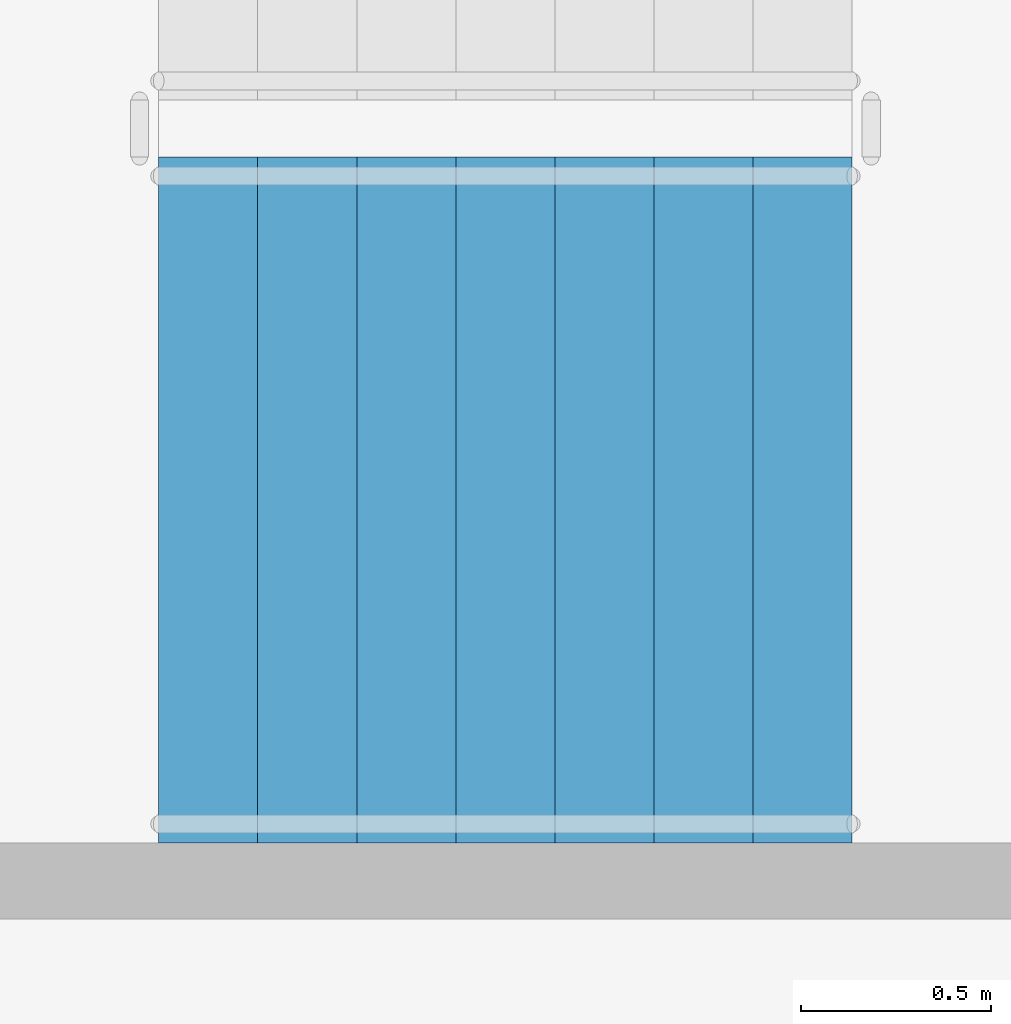
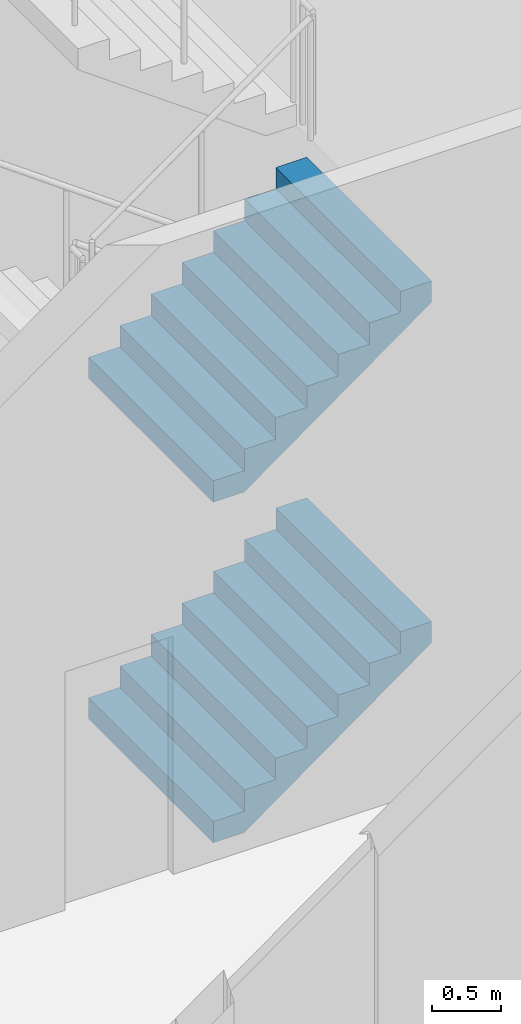
# One storey, part 40 of 75: 2 stair flights, 1 element without a shape of its own.
"""IFC4 building model written with IfcOpenShell, lengths in metres."""

from ifc_helpers import new_model, si_unit, direction, frame, origin, place, context, subcontext, project, spatial, faceted_brep, material, type_object, element, aggregate, save


model = new_model("IFC4")

# Units and contexts
model_context = context("Model", 3, precision=1e-05, world=origin(), true_north=direction((0.0, 1.0)))
body_context = subcontext(model_context, "Body", "Model", "MODEL_VIEW")
ifc_project = project(units=[si_unit("LENGTHUNIT", "METRE"), si_unit("AREAUNIT", "SQUARE_METRE"), si_unit("VOLUMEUNIT", "CUBIC_METRE"), si_unit("PLANEANGLEUNIT", "RADIAN"), si_unit("MASSUNIT", "GRAM", prefix="KILO")], contexts=[model_context])

# Site, building, storey
site_placement = place(None, origin())
site = spatial("IfcSite", under=ifc_project, at=site_placement, CompositionType="ELEMENT")
building_placement = place(site_placement, origin())
building = spatial("IfcBuilding", under=site, at=building_placement, Name="Ipe Terrace Towers", CompositionType="ELEMENT")
storey_placement = place(building_placement, origin())
storey = spatial("IfcBuildingStorey", under=building, at=storey_placement, Name="L00", CompositionType="ELEMENT", Elevation=0.0)

# Stair, stair flights
ifc_material_1 = material(Name="Concrete C30/37", Category="concrete")
stair_type = type_object("IfcStairType", Name="Protected exit stair", PredefinedType="HALF_TURN_STAIR", material=ifc_material_1)
stair_placement = place(storey_placement, origin())
stair = element("IfcStair", 1, at=stair_placement, inside=storey, type_object=stair_type, Name="L00 Podium exit stair PS4", PredefinedType="HALF_TURN_STAIR")
ifc_material_2 = material(Name="Concrete C30/37", Category="concrete")
stair_flight_type = type_object("IfcStairFlightType", Name="Exit stair flight 1800", PredefinedType="STRAIGHT", material=ifc_material_2)
stair_flight_1_placement = place(storey_placement, frame((-57.27001953125, -22.5, 0.0), z_axis=(0.0, 0.0, 1.0), x_axis=(1.0, 0.0, 0.0)))
stair_flight_1 = element("IfcStairFlight", 2, at=stair_flight_1_placement, type_object=stair_flight_type, Name="PS4 flight 1", NumberOfRisers=8, NumberOfTreads=7, PredefinedType="STRAIGHT", RiserHeight=0.1875, TreadLength=0.26, context=body_context, shape_type="Brep", body=[
    faceted_brep([(0.25634765625, -0.89990234375, 0.0), (1.820068359375, -0.89990234375, 1.127685546875), (1.820068359375, -0.89990234375, 1.3125), (1.56005859375, -0.89990234375, 1.3125), (1.56005859375, -0.89990234375, 1.125), (1.300048828125, -0.89990234375, 1.125), (1.300048828125, -0.89990234375, 0.9375), (1.0400390625, -0.89990234375, 0.9375), (1.0400390625, -0.89990234375, 0.75), (0.780029296875, -0.89990234375, 0.75), (0.780029296875, -0.89990234375, 0.5625), (0.52001953125, -0.89990234375, 0.5625), (0.52001953125, -0.89990234375, 0.375), (0.260009765625, -0.89990234375, 0.375), (0.260009765625, -0.89990234375, 0.1875), (0.0, -0.89990234375, 0.1875), (0.0, -0.89990234375, 0.0), (0.0, 0.89990234375, 0.0), (0.0, 0.89990234375, 0.1875), (0.260009765625, 0.89990234375, 0.1875), (0.260009765625, 0.89990234375, 0.375), (0.52001953125, 0.89990234375, 0.375), (0.52001953125, 0.89990234375, 0.5625), (0.780029296875, 0.89990234375, 0.5625), (0.780029296875, 0.89990234375, 0.75), (1.0400390625, 0.89990234375, 0.75), (1.0400390625, 0.89990234375, 0.9375), (1.300048828125, 0.89990234375, 0.9375), (1.300048828125, 0.89990234375, 1.125), (1.56005859375, 0.89990234375, 1.125), (1.56005859375, 0.89990234375, 1.3125), (1.820068359375, 0.89990234375, 1.3125), (1.820068359375, 0.89990234375, 1.127685546875), (0.25634765625, 0.89990234375, 0.0), (0.0, -0.300048828125, 0.1875), (0.0, -0.1201171875, 0.1875), (0.0, -0.06005859375, 0.1875), (0.0, -0.030029296875, 0.1875), (0.0, -0.010009765625, 0.1875), (0.0, 0.0, 0.1875), (0.0, 0.010009765625, 0.1875), (0.0, 0.030029296875, 0.1875), (0.0, 0.06005859375, 0.1875), (0.0, 0.1201171875, 0.1875), (0.0, 0.300048828125, 0.1875), (0.0, 0.300048828125, 0.0), (0.0, 0.1201171875, 0.0), (0.0, 0.06005859375, 0.0), (0.0, 0.030029296875, 0.0), (0.0, 0.010009765625, 0.0), (0.0, 0.0, 0.0), (0.0, -0.010009765625, 0.0), (0.0, -0.030029296875, 0.0), (0.0, -0.06005859375, 0.0), (0.0, -0.1201171875, 0.0), (0.0, -0.300048828125, 0.0), (0.260009765625, -0.300048828125, 0.1875), (0.260009765625, -0.1201171875, 0.1875), (0.260009765625, -0.06005859375, 0.1875), (0.260009765625, -0.030029296875, 0.1875), (0.260009765625, -0.010009765625, 0.1875), (0.260009765625, 0.0, 0.1875), (0.260009765625, 0.010009765625, 0.1875), (0.260009765625, 0.030029296875, 0.1875), (0.260009765625, 0.06005859375, 0.1875), (0.260009765625, 0.1201171875, 0.1875), (0.260009765625, 0.300048828125, 0.1875), (0.260009765625, -0.300048828125, 0.375), (0.260009765625, -0.1201171875, 0.375), (0.260009765625, -0.06005859375, 0.375), (0.260009765625, -0.030029296875, 0.375), (0.260009765625, -0.010009765625, 0.375), (0.260009765625, 0.0, 0.375), (0.260009765625, 0.010009765625, 0.375), (0.260009765625, 0.030029296875, 0.375), (0.260009765625, 0.06005859375, 0.375), (0.260009765625, 0.1201171875, 0.375), (0.260009765625, 0.300048828125, 0.375), (0.52001953125, -0.300048828125, 0.375), (0.52001953125, -0.1201171875, 0.375), (0.52001953125, -0.06005859375, 0.375), (0.52001953125, -0.030029296875, 0.375), (0.52001953125, -0.010009765625, 0.375), (0.52001953125, 0.0, 0.375), (0.52001953125, 0.010009765625, 0.375), (0.52001953125, 0.030029296875, 0.375), (0.52001953125, 0.06005859375, 0.375), (0.52001953125, 0.1201171875, 0.375), (0.52001953125, 0.300048828125, 0.375), (0.52001953125, -0.300048828125, 0.5625), (0.52001953125, -0.1201171875, 0.5625), (0.52001953125, -0.06005859375, 0.5625), (0.52001953125, -0.030029296875, 0.5625), (0.52001953125, -0.010009765625, 0.5625), (0.52001953125, 0.0, 0.5625), (0.52001953125, 0.010009765625, 0.5625), (0.52001953125, 0.030029296875, 0.5625), (0.52001953125, 0.06005859375, 0.5625), (0.52001953125, 0.1201171875, 0.5625), (0.52001953125, 0.300048828125, 0.5625), (0.780029296875, -0.300048828125, 0.5625), (0.780029296875, -0.1201171875, 0.5625), (0.780029296875, -0.06005859375, 0.5625), (0.780029296875, -0.030029296875, 0.5625), (0.780029296875, -0.010009765625, 0.5625), (0.780029296875, 0.0, 0.5625), (0.780029296875, 0.010009765625, 0.5625), (0.780029296875, 0.030029296875, 0.5625), (0.780029296875, 0.06005859375, 0.5625), (0.780029296875, 0.1201171875, 0.5625), (0.780029296875, 0.300048828125, 0.5625), (0.780029296875, -0.300048828125, 0.75), (0.780029296875, -0.1201171875, 0.75), (0.780029296875, -0.06005859375, 0.75), (0.780029296875, -0.030029296875, 0.75), (0.780029296875, -0.010009765625, 0.75), (0.780029296875, 0.0, 0.75), (0.780029296875, 0.010009765625, 0.75), (0.780029296875, 0.030029296875, 0.75), (0.780029296875, 0.06005859375, 0.75), (0.780029296875, 0.1201171875, 0.75), (0.780029296875, 0.300048828125, 0.75), (1.0400390625, -0.300048828125, 0.75), (1.0400390625, -0.1201171875, 0.75), (1.0400390625, -0.06005859375, 0.75), (1.0400390625, -0.030029296875, 0.75), (1.0400390625, -0.010009765625, 0.75), (1.0400390625, 0.0, 0.75), (1.0400390625, 0.010009765625, 0.75), (1.0400390625, 0.030029296875, 0.75), (1.0400390625, 0.06005859375, 0.75), (1.0400390625, 0.1201171875, 0.75), (1.0400390625, 0.300048828125, 0.75), (1.0400390625, -0.300048828125, 0.9375), (1.0400390625, -0.1201171875, 0.9375), (1.0400390625, -0.06005859375, 0.9375), (1.0400390625, -0.030029296875, 0.9375), (1.0400390625, -0.010009765625, 0.9375), (1.0400390625, 0.0, 0.9375), (1.0400390625, 0.010009765625, 0.9375), (1.0400390625, 0.030029296875, 0.9375), (1.0400390625, 0.06005859375, 0.9375), (1.0400390625, 0.1201171875, 0.9375), (1.0400390625, 0.300048828125, 0.9375), (1.300048828125, -0.300048828125, 0.9375), (1.300048828125, -0.1201171875, 0.9375), (1.300048828125, -0.06005859375, 0.9375), (1.300048828125, -0.030029296875, 0.9375), (1.300048828125, -0.010009765625, 0.9375), (1.300048828125, 0.0, 0.9375), (1.300048828125, 0.010009765625, 0.9375), (1.300048828125, 0.030029296875, 0.9375), (1.300048828125, 0.06005859375, 0.9375), (1.300048828125, 0.1201171875, 0.9375), (1.300048828125, 0.300048828125, 0.9375), (1.300048828125, -0.300048828125, 1.125), (1.300048828125, -0.1201171875, 1.125), (1.300048828125, -0.06005859375, 1.125), (1.300048828125, -0.030029296875, 1.125), (1.300048828125, -0.010009765625, 1.125), (1.300048828125, 0.0, 1.125), (1.300048828125, 0.010009765625, 1.125), (1.300048828125, 0.030029296875, 1.125), (1.300048828125, 0.06005859375, 1.125), (1.300048828125, 0.1201171875, 1.125), (1.300048828125, 0.300048828125, 1.125), (1.56005859375, -0.300048828125, 1.125), (1.56005859375, -0.1201171875, 1.125), (1.56005859375, -0.06005859375, 1.125), (1.56005859375, -0.030029296875, 1.125), (1.56005859375, -0.010009765625, 1.125), (1.56005859375, 0.0, 1.125), (1.56005859375, 0.010009765625, 1.125), (1.56005859375, 0.030029296875, 1.125), (1.56005859375, 0.06005859375, 1.125), (1.56005859375, 0.1201171875, 1.125), (1.56005859375, 0.300048828125, 1.125), (1.56005859375, -0.300048828125, 1.3125), (1.56005859375, -0.1201171875, 1.3125), (1.56005859375, -0.06005859375, 1.3125), (1.56005859375, -0.030029296875, 1.3125), (1.56005859375, -0.010009765625, 1.3125), (1.56005859375, 0.0, 1.3125), (1.56005859375, 0.010009765625, 1.3125), (1.56005859375, 0.030029296875, 1.3125), (1.56005859375, 0.06005859375, 1.3125), (1.56005859375, 0.1201171875, 1.3125), (1.56005859375, 0.300048828125, 1.3125), (1.820068359375, -0.300048828125, 1.3125), (1.820068359375, -0.1201171875, 1.3125), (1.820068359375, -0.06005859375, 1.3125), (1.820068359375, -0.030029296875, 1.3125), (1.820068359375, -0.010009765625, 1.3125), (1.820068359375, 0.0, 1.3125), (1.820068359375, 0.010009765625, 1.3125), (1.820068359375, 0.030029296875, 1.3125), (1.820068359375, 0.06005859375, 1.3125), (1.820068359375, 0.1201171875, 1.3125), (1.820068359375, 0.300048828125, 1.3125), (1.820068359375, -0.300048828125, 1.127685546875), (1.820068359375, -0.1201171875, 1.127685546875), (1.820068359375, -0.06005859375, 1.127685546875), (1.820068359375, -0.030029296875, 1.127685546875), (1.820068359375, -0.010009765625, 1.127685546875), (1.820068359375, 0.0, 1.127685546875), (1.820068359375, 0.010009765625, 1.127685546875), (1.820068359375, 0.030029296875, 1.127685546875), (1.820068359375, 0.06005859375, 1.127685546875), (1.820068359375, 0.1201171875, 1.127685546875), (1.820068359375, 0.300048828125, 1.127685546875), (0.25634765625, -0.300048828125, 0.0), (0.25634765625, -0.1201171875, 0.0), (0.25634765625, -0.06005859375, 0.0), (0.25634765625, -0.030029296875, 0.0), (0.25634765625, -0.010009765625, 0.0), (0.25634765625, 0.0, 0.0), (0.25634765625, 0.010009765625, 0.0), (0.25634765625, 0.030029296875, 0.0), (0.25634765625, 0.06005859375, 0.0), (0.25634765625, 0.1201171875, 0.0), (0.25634765625, 0.300048828125, 0.0)], [[[0, 1, 2, 3, 4, 5, 6, 7, 8, 9, 10, 11, 12, 13, 14, 15, 16]], [[17, 18, 19, 20, 21, 22, 23, 24, 25, 26, 27, 28, 29, 30, 31, 32, 33]], [[15, 34, 35, 36, 37, 38, 39, 40, 41, 42, 43, 44, 18, 17, 45, 46, 47, 48, 49, 50, 51, 52, 53, 54, 55, 16]], [[14, 56, 57, 58, 59, 60, 61, 62, 63, 64, 65, 66, 19, 18, 44, 43, 42, 41, 40, 39, 38, 37, 36, 35, 34, 15]], [[13, 67, 68, 69, 70, 71, 72, 73, 74, 75, 76, 77, 20, 19, 66, 65, 64, 63, 62, 61, 60, 59, 58, 57, 56, 14]], [[12, 78, 79, 80, 81, 82, 83, 84, 85, 86, 87, 88, 21, 20, 77, 76, 75, 74, 73, 72, 71, 70, 69, 68, 67, 13]], [[11, 89, 90, 91, 92, 93, 94, 95, 96, 97, 98, 99, 22, 21, 88, 87, 86, 85, 84, 83, 82, 81, 80, 79, 78, 12]], [[10, 100, 101, 102, 103, 104, 105, 106, 107, 108, 109, 110, 23, 22, 99, 98, 97, 96, 95, 94, 93, 92, 91, 90, 89, 11]], [[9, 111, 112, 113, 114, 115, 116, 117, 118, 119, 120, 121, 24, 23, 110, 109, 108, 107, 106, 105, 104, 103, 102, 101, 100, 10]], [[8, 122, 123, 124, 125, 126, 127, 128, 129, 130, 131, 132, 25, 24, 121, 120, 119, 118, 117, 116, 115, 114, 113, 112, 111, 9]], [[7, 133, 134, 135, 136, 137, 138, 139, 140, 141, 142, 143, 26, 25, 132, 131, 130, 129, 128, 127, 126, 125, 124, 123, 122, 8]], [[6, 144, 145, 146, 147, 148, 149, 150, 151, 152, 153, 154, 27, 26, 143, 142, 141, 140, 139, 138, 137, 136, 135, 134, 133, 7]], [[5, 155, 156, 157, 158, 159, 160, 161, 162, 163, 164, 165, 28, 27, 154, 153, 152, 151, 150, 149, 148, 147, 146, 145, 144, 6]], [[4, 166, 167, 168, 169, 170, 171, 172, 173, 174, 175, 176, 29, 28, 165, 164, 163, 162, 161, 160, 159, 158, 157, 156, 155, 5]], [[3, 177, 178, 179, 180, 181, 182, 183, 184, 185, 186, 187, 30, 29, 176, 175, 174, 173, 172, 171, 170, 169, 168, 167, 166, 4]], [[2, 188, 189, 190, 191, 192, 193, 194, 195, 196, 197, 198, 31, 30, 187, 186, 185, 184, 183, 182, 181, 180, 179, 178, 177, 3]], [[1, 199, 200, 201, 202, 203, 204, 205, 206, 207, 208, 209, 32, 31, 198, 197, 196, 195, 194, 193, 192, 191, 190, 189, 188, 2]], [[0, 210, 211, 212, 213, 214, 215, 216, 217, 218, 219, 220, 33, 32, 209, 208, 207, 206, 205, 204, 203, 202, 201, 200, 199, 1]], [[16, 55, 54, 53, 52, 51, 50, 49, 48, 47, 46, 45, 17, 33, 220, 219, 218, 217, 216, 215, 214, 213, 212, 211, 210, 0]]]),
])
stair_flight_2_placement = place(storey_placement, frame((-57.27001953125, -22.5, 3.0), z_axis=(0.0, 0.0, 1.0), x_axis=(1.0, 0.0, 0.0)))
stair_flight_2 = element("IfcStairFlight", 3, at=stair_flight_2_placement, type_object=stair_flight_type, Name="PS4 flight 3", NumberOfRisers=8, NumberOfTreads=7, PredefinedType="STRAIGHT", RiserHeight=0.1875, TreadLength=0.26, context=body_context, shape_type="Brep", body=[
    faceted_brep([(0.25634765625, -0.89990234375, 0.0), (1.820068359375, -0.89990234375, 1.127685546875), (1.820068359375, -0.89990234375, 1.3125), (1.56005859375, -0.89990234375, 1.3125), (1.56005859375, -0.89990234375, 1.125), (1.300048828125, -0.89990234375, 1.125), (1.300048828125, -0.89990234375, 0.9375), (1.0400390625, -0.89990234375, 0.9375), (1.0400390625, -0.89990234375, 0.75), (0.780029296875, -0.89990234375, 0.75), (0.780029296875, -0.89990234375, 0.5625), (0.52001953125, -0.89990234375, 0.5625), (0.52001953125, -0.89990234375, 0.375), (0.260009765625, -0.89990234375, 0.375), (0.260009765625, -0.89990234375, 0.1875), (0.0, -0.89990234375, 0.1875), (0.0, -0.89990234375, 0.0), (0.0, 0.89990234375, 0.0), (0.0, 0.89990234375, 0.1875), (0.260009765625, 0.89990234375, 0.1875), (0.260009765625, 0.89990234375, 0.375), (0.52001953125, 0.89990234375, 0.375), (0.52001953125, 0.89990234375, 0.5625), (0.780029296875, 0.89990234375, 0.5625), (0.780029296875, 0.89990234375, 0.75), (1.0400390625, 0.89990234375, 0.75), (1.0400390625, 0.89990234375, 0.9375), (1.300048828125, 0.89990234375, 0.9375), (1.300048828125, 0.89990234375, 1.125), (1.56005859375, 0.89990234375, 1.125), (1.56005859375, 0.89990234375, 1.3125), (1.820068359375, 0.89990234375, 1.3125), (1.820068359375, 0.89990234375, 1.127685546875), (0.25634765625, 0.89990234375, 0.0), (0.0, -0.300048828125, 0.1875), (0.0, -0.1201171875, 0.1875), (0.0, -0.06005859375, 0.1875), (0.0, -0.030029296875, 0.1875), (0.0, -0.010009765625, 0.1875), (0.0, 0.0, 0.1875), (0.0, 0.010009765625, 0.1875), (0.0, 0.030029296875, 0.1875), (0.0, 0.06005859375, 0.1875), (0.0, 0.1201171875, 0.1875), (0.0, 0.300048828125, 0.1875), (0.0, 0.300048828125, 0.0), (0.0, 0.1201171875, 0.0), (0.0, 0.06005859375, 0.0), (0.0, 0.030029296875, 0.0), (0.0, 0.010009765625, 0.0), (0.0, 0.0, 0.0), (0.0, -0.010009765625, 0.0), (0.0, -0.030029296875, 0.0), (0.0, -0.06005859375, 0.0), (0.0, -0.1201171875, 0.0), (0.0, -0.300048828125, 0.0), (0.260009765625, -0.300048828125, 0.1875), (0.260009765625, -0.1201171875, 0.1875), (0.260009765625, -0.06005859375, 0.1875), (0.260009765625, -0.030029296875, 0.1875), (0.260009765625, -0.010009765625, 0.1875), (0.260009765625, 0.0, 0.1875), (0.260009765625, 0.010009765625, 0.1875), (0.260009765625, 0.030029296875, 0.1875), (0.260009765625, 0.06005859375, 0.1875), (0.260009765625, 0.1201171875, 0.1875), (0.260009765625, 0.300048828125, 0.1875), (0.260009765625, -0.300048828125, 0.375), (0.260009765625, -0.1201171875, 0.375), (0.260009765625, -0.06005859375, 0.375), (0.260009765625, -0.030029296875, 0.375), (0.260009765625, -0.010009765625, 0.375), (0.260009765625, 0.0, 0.375), (0.260009765625, 0.010009765625, 0.375), (0.260009765625, 0.030029296875, 0.375), (0.260009765625, 0.06005859375, 0.375), (0.260009765625, 0.1201171875, 0.375), (0.260009765625, 0.300048828125, 0.375), (0.52001953125, -0.300048828125, 0.375), (0.52001953125, -0.1201171875, 0.375), (0.52001953125, -0.06005859375, 0.375), (0.52001953125, -0.030029296875, 0.375), (0.52001953125, -0.010009765625, 0.375), (0.52001953125, 0.0, 0.375), (0.52001953125, 0.010009765625, 0.375), (0.52001953125, 0.030029296875, 0.375), (0.52001953125, 0.06005859375, 0.375), (0.52001953125, 0.1201171875, 0.375), (0.52001953125, 0.300048828125, 0.375), (0.52001953125, -0.300048828125, 0.5625), (0.52001953125, -0.1201171875, 0.5625), (0.52001953125, -0.06005859375, 0.5625), (0.52001953125, -0.030029296875, 0.5625), (0.52001953125, -0.010009765625, 0.5625), (0.52001953125, 0.0, 0.5625), (0.52001953125, 0.010009765625, 0.5625), (0.52001953125, 0.030029296875, 0.5625), (0.52001953125, 0.06005859375, 0.5625), (0.52001953125, 0.1201171875, 0.5625), (0.52001953125, 0.300048828125, 0.5625), (0.780029296875, -0.300048828125, 0.5625), (0.780029296875, -0.1201171875, 0.5625), (0.780029296875, -0.06005859375, 0.5625), (0.780029296875, -0.030029296875, 0.5625), (0.780029296875, -0.010009765625, 0.5625), (0.780029296875, 0.0, 0.5625), (0.780029296875, 0.010009765625, 0.5625), (0.780029296875, 0.030029296875, 0.5625), (0.780029296875, 0.06005859375, 0.5625), (0.780029296875, 0.1201171875, 0.5625), (0.780029296875, 0.300048828125, 0.5625), (0.780029296875, -0.300048828125, 0.75), (0.780029296875, -0.1201171875, 0.75), (0.780029296875, -0.06005859375, 0.75), (0.780029296875, -0.030029296875, 0.75), (0.780029296875, -0.010009765625, 0.75), (0.780029296875, 0.0, 0.75), (0.780029296875, 0.010009765625, 0.75), (0.780029296875, 0.030029296875, 0.75), (0.780029296875, 0.06005859375, 0.75), (0.780029296875, 0.1201171875, 0.75), (0.780029296875, 0.300048828125, 0.75), (1.0400390625, -0.300048828125, 0.75), (1.0400390625, -0.1201171875, 0.75), (1.0400390625, -0.06005859375, 0.75), (1.0400390625, -0.030029296875, 0.75), (1.0400390625, -0.010009765625, 0.75), (1.0400390625, 0.0, 0.75), (1.0400390625, 0.010009765625, 0.75), (1.0400390625, 0.030029296875, 0.75), (1.0400390625, 0.06005859375, 0.75), (1.0400390625, 0.1201171875, 0.75), (1.0400390625, 0.300048828125, 0.75), (1.0400390625, -0.300048828125, 0.9375), (1.0400390625, -0.1201171875, 0.9375), (1.0400390625, -0.06005859375, 0.9375), (1.0400390625, -0.030029296875, 0.9375), (1.0400390625, -0.010009765625, 0.9375), (1.0400390625, 0.0, 0.9375), (1.0400390625, 0.010009765625, 0.9375), (1.0400390625, 0.030029296875, 0.9375), (1.0400390625, 0.06005859375, 0.9375), (1.0400390625, 0.1201171875, 0.9375), (1.0400390625, 0.300048828125, 0.9375), (1.300048828125, -0.300048828125, 0.9375), (1.300048828125, -0.1201171875, 0.9375), (1.300048828125, -0.06005859375, 0.9375), (1.300048828125, -0.030029296875, 0.9375), (1.300048828125, -0.010009765625, 0.9375), (1.300048828125, 0.0, 0.9375), (1.300048828125, 0.010009765625, 0.9375), (1.300048828125, 0.030029296875, 0.9375), (1.300048828125, 0.06005859375, 0.9375), (1.300048828125, 0.1201171875, 0.9375), (1.300048828125, 0.300048828125, 0.9375), (1.300048828125, -0.300048828125, 1.125), (1.300048828125, -0.1201171875, 1.125), (1.300048828125, -0.06005859375, 1.125), (1.300048828125, -0.030029296875, 1.125), (1.300048828125, -0.010009765625, 1.125), (1.300048828125, 0.0, 1.125), (1.300048828125, 0.010009765625, 1.125), (1.300048828125, 0.030029296875, 1.125), (1.300048828125, 0.06005859375, 1.125), (1.300048828125, 0.1201171875, 1.125), (1.300048828125, 0.300048828125, 1.125), (1.56005859375, -0.300048828125, 1.125), (1.56005859375, -0.1201171875, 1.125), (1.56005859375, -0.06005859375, 1.125), (1.56005859375, -0.030029296875, 1.125), (1.56005859375, -0.010009765625, 1.125), (1.56005859375, 0.0, 1.125), (1.56005859375, 0.010009765625, 1.125), (1.56005859375, 0.030029296875, 1.125), (1.56005859375, 0.06005859375, 1.125), (1.56005859375, 0.1201171875, 1.125), (1.56005859375, 0.300048828125, 1.125), (1.56005859375, -0.300048828125, 1.3125), (1.56005859375, -0.1201171875, 1.3125), (1.56005859375, -0.06005859375, 1.3125), (1.56005859375, -0.030029296875, 1.3125), (1.56005859375, -0.010009765625, 1.3125), (1.56005859375, 0.0, 1.3125), (1.56005859375, 0.010009765625, 1.3125), (1.56005859375, 0.030029296875, 1.3125), (1.56005859375, 0.06005859375, 1.3125), (1.56005859375, 0.1201171875, 1.3125), (1.56005859375, 0.300048828125, 1.3125), (1.820068359375, -0.300048828125, 1.3125), (1.820068359375, -0.1201171875, 1.3125), (1.820068359375, -0.06005859375, 1.3125), (1.820068359375, -0.030029296875, 1.3125), (1.820068359375, -0.010009765625, 1.3125), (1.820068359375, 0.0, 1.3125), (1.820068359375, 0.010009765625, 1.3125), (1.820068359375, 0.030029296875, 1.3125), (1.820068359375, 0.06005859375, 1.3125), (1.820068359375, 0.1201171875, 1.3125), (1.820068359375, 0.300048828125, 1.3125), (1.820068359375, -0.300048828125, 1.127685546875), (1.820068359375, -0.1201171875, 1.127685546875), (1.820068359375, -0.06005859375, 1.127685546875), (1.820068359375, -0.030029296875, 1.127685546875), (1.820068359375, -0.010009765625, 1.127685546875), (1.820068359375, 0.0, 1.127685546875), (1.820068359375, 0.010009765625, 1.127685546875), (1.820068359375, 0.030029296875, 1.127685546875), (1.820068359375, 0.06005859375, 1.127685546875), (1.820068359375, 0.1201171875, 1.127685546875), (1.820068359375, 0.300048828125, 1.127685546875), (0.25634765625, -0.300048828125, 0.0), (0.25634765625, -0.1201171875, 0.0), (0.25634765625, -0.06005859375, 0.0), (0.25634765625, -0.030029296875, 0.0), (0.25634765625, -0.010009765625, 0.0), (0.25634765625, 0.0, 0.0), (0.25634765625, 0.010009765625, 0.0), (0.25634765625, 0.030029296875, 0.0), (0.25634765625, 0.06005859375, 0.0), (0.25634765625, 0.1201171875, 0.0), (0.25634765625, 0.300048828125, 0.0)], [[[0, 1, 2, 3, 4, 5, 6, 7, 8, 9, 10, 11, 12, 13, 14, 15, 16]], [[17, 18, 19, 20, 21, 22, 23, 24, 25, 26, 27, 28, 29, 30, 31, 32, 33]], [[15, 34, 35, 36, 37, 38, 39, 40, 41, 42, 43, 44, 18, 17, 45, 46, 47, 48, 49, 50, 51, 52, 53, 54, 55, 16]], [[14, 56, 57, 58, 59, 60, 61, 62, 63, 64, 65, 66, 19, 18, 44, 43, 42, 41, 40, 39, 38, 37, 36, 35, 34, 15]], [[13, 67, 68, 69, 70, 71, 72, 73, 74, 75, 76, 77, 20, 19, 66, 65, 64, 63, 62, 61, 60, 59, 58, 57, 56, 14]], [[12, 78, 79, 80, 81, 82, 83, 84, 85, 86, 87, 88, 21, 20, 77, 76, 75, 74, 73, 72, 71, 70, 69, 68, 67, 13]], [[11, 89, 90, 91, 92, 93, 94, 95, 96, 97, 98, 99, 22, 21, 88, 87, 86, 85, 84, 83, 82, 81, 80, 79, 78, 12]], [[10, 100, 101, 102, 103, 104, 105, 106, 107, 108, 109, 110, 23, 22, 99, 98, 97, 96, 95, 94, 93, 92, 91, 90, 89, 11]], [[9, 111, 112, 113, 114, 115, 116, 117, 118, 119, 120, 121, 24, 23, 110, 109, 108, 107, 106, 105, 104, 103, 102, 101, 100, 10]], [[8, 122, 123, 124, 125, 126, 127, 128, 129, 130, 131, 132, 25, 24, 121, 120, 119, 118, 117, 116, 115, 114, 113, 112, 111, 9]], [[7, 133, 134, 135, 136, 137, 138, 139, 140, 141, 142, 143, 26, 25, 132, 131, 130, 129, 128, 127, 126, 125, 124, 123, 122, 8]], [[6, 144, 145, 146, 147, 148, 149, 150, 151, 152, 153, 154, 27, 26, 143, 142, 141, 140, 139, 138, 137, 136, 135, 134, 133, 7]], [[5, 155, 156, 157, 158, 159, 160, 161, 162, 163, 164, 165, 28, 27, 154, 153, 152, 151, 150, 149, 148, 147, 146, 145, 144, 6]], [[4, 166, 167, 168, 169, 170, 171, 172, 173, 174, 175, 176, 29, 28, 165, 164, 163, 162, 161, 160, 159, 158, 157, 156, 155, 5]], [[3, 177, 178, 179, 180, 181, 182, 183, 184, 185, 186, 187, 30, 29, 176, 175, 174, 173, 172, 171, 170, 169, 168, 167, 166, 4]], [[2, 188, 189, 190, 191, 192, 193, 194, 195, 196, 197, 198, 31, 30, 187, 186, 185, 184, 183, 182, 181, 180, 179, 178, 177, 3]], [[1, 199, 200, 201, 202, 203, 204, 205, 206, 207, 208, 209, 32, 31, 198, 197, 196, 195, 194, 193, 192, 191, 190, 189, 188, 2]], [[0, 210, 211, 212, 213, 214, 215, 216, 217, 218, 219, 220, 33, 32, 209, 208, 207, 206, 205, 204, 203, 202, 201, 200, 199, 1]], [[16, 55, 54, 53, 52, 51, 50, 49, 48, 47, 46, 45, 17, 33, 220, 219, 218, 217, 216, 215, 214, 213, 212, 211, 210, 0]]]),
])
aggregate(stair, [stair_flight_1, stair_flight_2])

save(model, "model.ifc")
